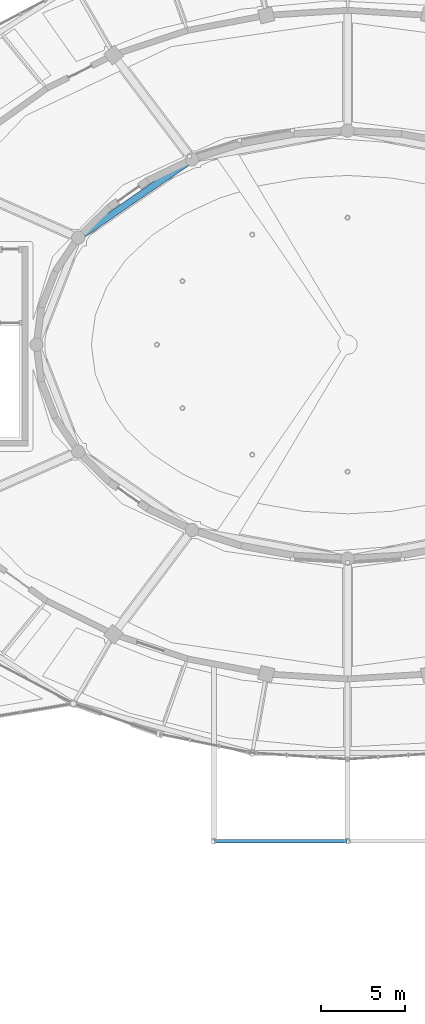
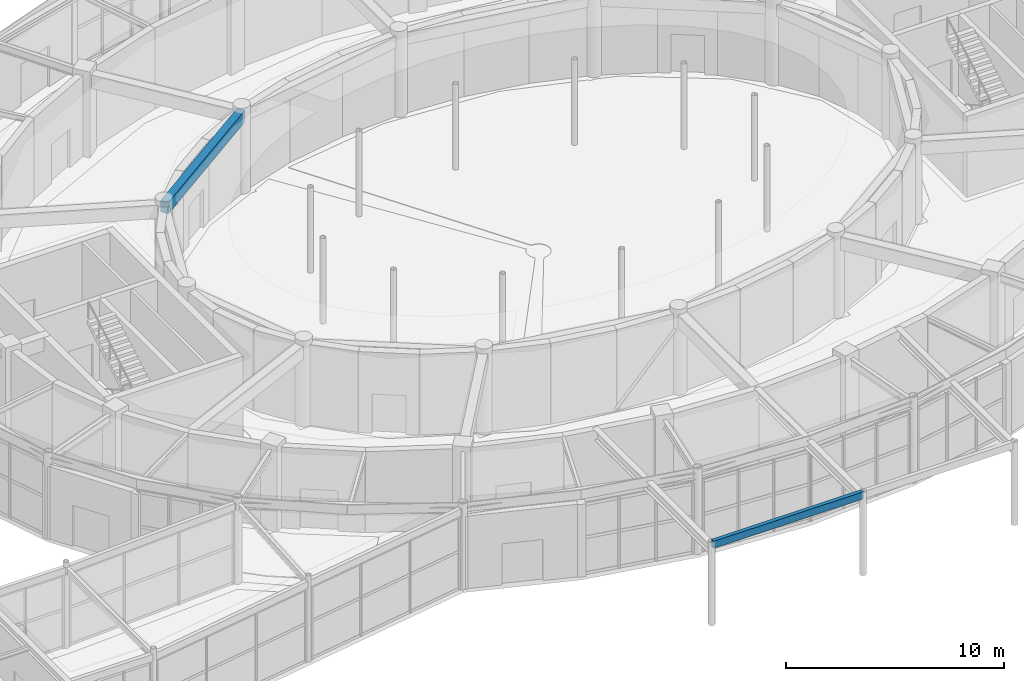
# One storey, part 36 of 108: 2 beams.
"""IFC4 building model written with IfcOpenShell, lengths in metres."""

from ifc_helpers import new_model, si_unit, direction, frame, origin, origin_2d, place, context, subcontext, project, spatial, rectangle, hollow_rectangle, extrude, material, material_profile, profile_set, type_object, element, save


model = new_model("IFC4")

# Units and contexts
model_context = context("Model", 3, precision=1e-05, world=origin(), true_north=direction((0.0, 1.0)))
body_context = subcontext(model_context, "Body", "Model", "MODEL_VIEW")
ifc_project = project(units=[si_unit("LENGTHUNIT", "METRE"), si_unit("AREAUNIT", "SQUARE_METRE"), si_unit("VOLUMEUNIT", "CUBIC_METRE"), si_unit("PLANEANGLEUNIT", "RADIAN"), si_unit("MASSUNIT", "GRAM", prefix="KILO")], contexts=[model_context])

# Site, building, storey
site_placement = place(None, origin())
site = spatial("IfcSite", under=ifc_project, at=site_placement, CompositionType="ELEMENT")
building_placement = place(site_placement, origin())
building = spatial("IfcBuilding", under=site, at=building_placement, Name="Tarnveldt Headland Concert Hall", CompositionType="ELEMENT")
storey_placement = place(building_placement, origin())
storey = spatial("IfcBuildingStorey", under=building, at=storey_placement, Name="L00", CompositionType="ELEMENT", Elevation=0.0)

# Beams
ifc_material_1 = material(Name="Concrete C40/50", Category="concrete")
ifc_material_profile_1 = material_profile(ifc_material_1, rectangle(XDim=0.39990234375, YDim=0.64990234375, at=origin_2d()), Name="RC 400x650", Category="concrete")
ifc_profile_set_1 = profile_set([ifc_material_profile_1], Name="Concrete C40/50")
beam_type_1 = type_object("IfcBeamType", Name="CB-400x650", PredefinedType="BEAM", material=ifc_profile_set_1)
beam_1_placement = place(storey_placement, frame((74.150634765625, 65.551025390625, 4.195068359375), z_axis=(-0.823792567818, -0.566891352207, 0.0), x_axis=(0.566891352207, -0.823792567818, 0.0)))
element("IfcBeam", 1, at=beam_1_placement, inside=storey, type_object=beam_type_1, Name="Framing beam L00-409", PredefinedType="BEAM", context=body_context, shape_type="SweptSolid", body=[
    extrude(rectangle(XDim=0.39990234375, YDim=0.64990234375, at=origin_2d()), origin(), (0.0, 0.0, 1.0), 8.144287109375),
])
ifc_material_2 = material(Name="Steel S355", Category="steel")
ifc_material_profile_2 = material_profile(ifc_material_2, hollow_rectangle(XDim=0.199951171875, YDim=0.39990234375, WallThickness=0.01611328125, at=origin_2d()), Name="RHS 400x200x16", Category="steel")
ifc_profile_set_2 = profile_set([ifc_material_profile_2], Name="Steel S355")
beam_type_2 = type_object("IfcBeamType", Name="SB-RHS400", PredefinedType="BEAM", material=ifc_profile_set_2)
beam_2_placement = place(storey_placement, frame((75.5400390625, 24.800048828125, 4.455078125), z_axis=(1.0, 0.0, 0.0), x_axis=(0.0, 1.0, 0.0)))
element("IfcBeam", 2, at=beam_2_placement, inside=storey, type_object=beam_type_2, Name="Framing beam L00-1451", PredefinedType="BEAM", context=body_context, shape_type="SweptSolid", body=[
    extrude(hollow_rectangle(XDim=0.199951171875, YDim=0.39990234375, WallThickness=0.01611328125, at=origin_2d()), origin(), (0.0, 0.0, 1.0), 7.919921875),
])

save(model, "model.ifc")
